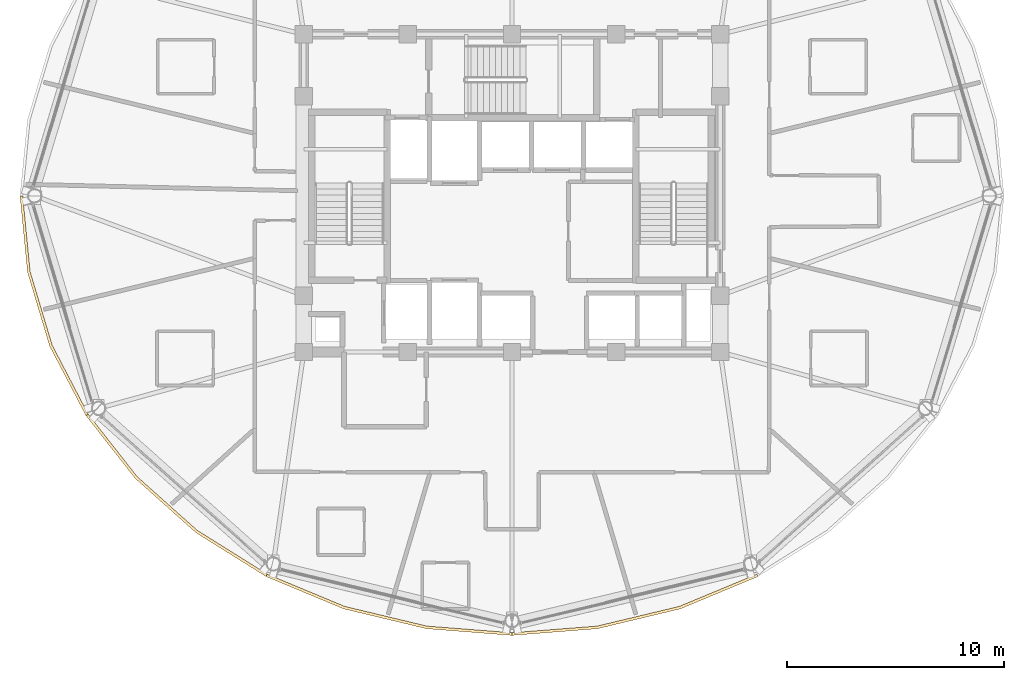
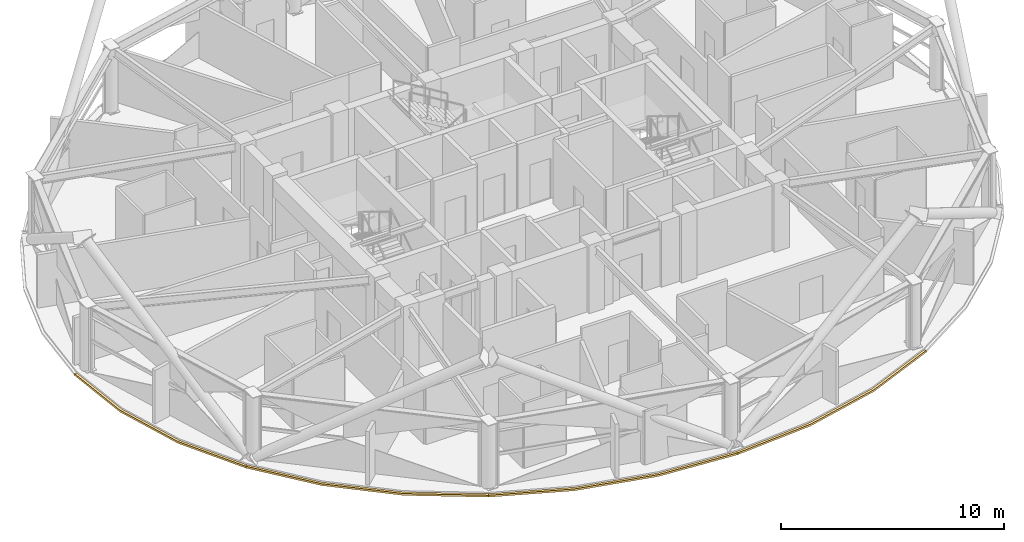
# One storey, part 26 of 29: 4 coverings.
"""IFC4 building model written with IfcOpenShell, lengths in metres."""

from ifc_helpers import new_model, si_unit, direction, frame, origin, place, context, subcontext, project, spatial, polyline, outline, extrude, material, layer, layer_set, type_object, element, save


model = new_model("IFC4")

# Units and contexts
model_context = context("Model", 3, precision=1e-05, world=origin(), true_north=direction((0.0, 1.0)))
body_context = subcontext(model_context, "Body", "Model", "MODEL_VIEW")
ifc_project = project(units=[si_unit("LENGTHUNIT", "METRE"), si_unit("AREAUNIT", "SQUARE_METRE"), si_unit("VOLUMEUNIT", "CUBIC_METRE"), si_unit("PLANEANGLEUNIT", "RADIAN"), si_unit("MASSUNIT", "GRAM", prefix="KILO")], contexts=[model_context])

# Site, building, storey
site_placement = place(None, origin())
site = spatial("IfcSite", under=ifc_project, at=site_placement, CompositionType="ELEMENT")
building_placement = place(site_placement, origin())
building = spatial("IfcBuilding", under=site, at=building_placement, Name="Vantalir Tower", CompositionType="ELEMENT")
storey_placement = place(building_placement, frame((0.0, 0.0, 219.89990234375)))
storey = spatial("IfcBuildingStorey", under=building, at=storey_placement, Name="L55", CompositionType="ELEMENT", Elevation=219.89990234375)

# Coverings
ifc_material = material(Name="Anodised champagne aluminium sill fascia", Category="aluminium")
ifc_layer = layer(ifc_material, 0.125)
ifc_layer_set = layer_set([ifc_layer], Name="Anodised champagne aluminium sill fascia")
covering_type = type_object("IfcCoveringType", Name="COV-SLAB-FASCIA-125", PredefinedType="CLADDING", material=ifc_layer_set)
covering_1_placement = place(storey_placement, frame((0.0, 0.0, -0.179931640625)))
element("IfcCovering", 1, at=covering_1_placement, inside=storey, type_object=covering_type, Name="L55 Perimeter Slab-Edge Sill Fascia 07", PredefinedType="CLADDING", context=body_context, shape_type="SweptSolid", body=[
    extrude(outline(polyline([(8.81201171875, 25.0), (9.156982421875, 21.47998046875), (10.179931640625, 18.06689453125), (11.85205078125, 14.864013671875), (11.9599609375, 14.927001953125), (10.298095703125, 18.110107421875), (9.280029296875, 21.501953125), (8.93701171875, 25.0), (8.81201171875, 25.0)])), origin(), (0.0, 0.0, 1.0), 0.10498046875),
])
covering_2_placement = place(storey_placement, frame((0.0, 0.0, -0.179931640625)))
element("IfcCovering", 2, at=covering_2_placement, inside=storey, type_object=covering_type, Name="L55 Perimeter Slab-Edge Sill Fascia 08", PredefinedType="CLADDING", context=body_context, shape_type="SweptSolid", body=[
    extrude(outline(polyline([(11.85205078125, 14.864013671875), (14.1201171875, 11.969970703125), (16.916015625, 9.471923828125), (20.156005859375, 7.445068359375), (20.218017578125, 7.552978515625), (16.9970703125, 9.56689453125), (14.216064453125, 12.050048828125), (11.9599609375, 14.927001953125), (11.85205078125, 14.864013671875)])), origin(), (0.0, 0.0, 1.0), 0.10498046875),
])
covering_3_placement = place(storey_placement, frame((0.0, 0.0, -0.179931640625)))
element("IfcCovering", 3, at=covering_3_placement, inside=storey, type_object=covering_type, Name="L55 Perimeter Slab-Edge Sill Fascia 09", PredefinedType="CLADDING", context=body_context, shape_type="SweptSolid", body=[
    extrude(outline(polyline([(20.156005859375, 7.445068359375), (23.739990234375, 5.950927734375), (27.56005859375, 5.037109375), (31.5, 4.72900390625), (31.5, 4.85400390625), (27.58203125, 5.159912109375), (23.782958984375, 6.069091796875), (20.218017578125, 7.552978515625), (20.156005859375, 7.445068359375)])), origin(), (0.0, 0.0, 1.0), 0.10498046875),
])
covering_4_placement = place(storey_placement, frame((0.0, 0.0, -0.179931640625)))
element("IfcCovering", 4, at=covering_4_placement, inside=storey, type_object=covering_type, Name="L55 Perimeter Slab-Edge Sill Fascia 10", PredefinedType="CLADDING", context=body_context, shape_type="SweptSolid", body=[
    extrude(outline(polyline([(31.5, 4.72900390625), (35.43994140625, 5.037109375), (39.260009765625, 5.950927734375), (42.843994140625, 7.445068359375), (42.781982421875, 7.552978515625), (39.217041015625, 6.069091796875), (35.41796875, 5.159912109375), (31.5, 4.85400390625), (31.5, 4.72900390625)])), origin(), (0.0, 0.0, 1.0), 0.10498046875),
])

save(model, "model.ifc")
